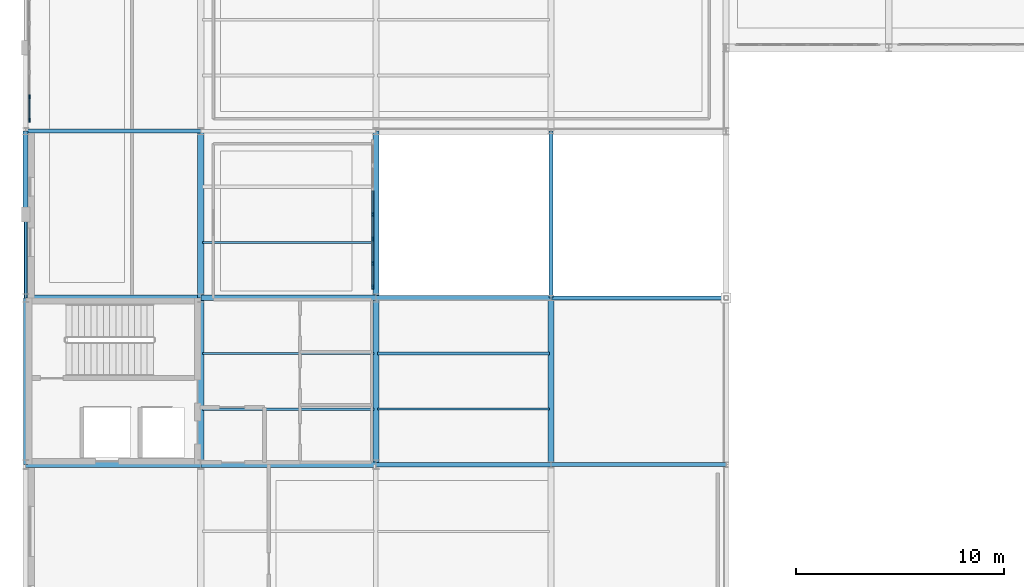
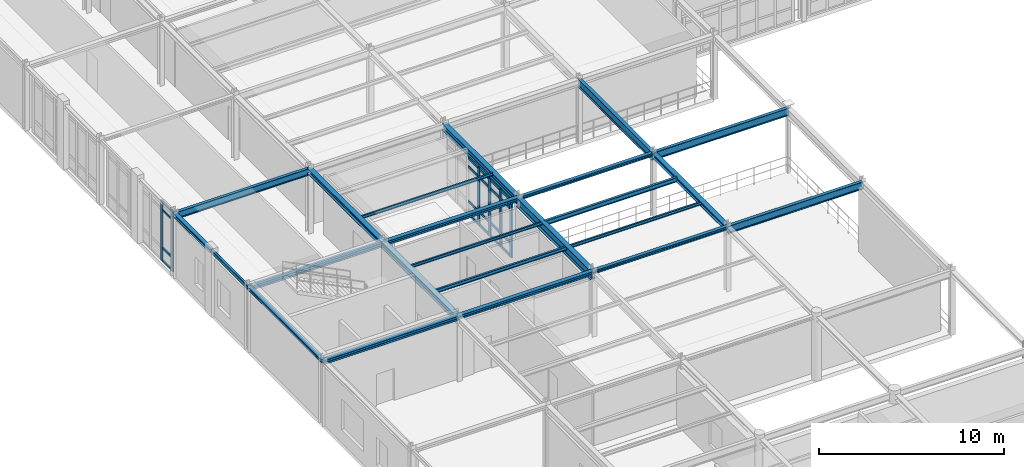
# One storey, part 28 of 106: 26 members, 23 beams, 2 elements without a shape of their own.
"""IFC4 building model written with IfcOpenShell, lengths in metres."""

from ifc_helpers import new_model, si_unit, derived_unit, direction, frame, origin, origin_2d, place, context, subcontext, project, spatial, rectangle, hollow_rectangle, i_section, extrude, material, layer, layer_set, material_profile, profile_set, type_object, element, aggregate, save


model = new_model("IFC4")

# Units and contexts
model_context = context("Model", 3, precision=1e-05, world=origin(), true_north=direction((0.0, 1.0)))
body_context = subcontext(model_context, "Body", "Model", "MODEL_VIEW")
ifc_project = project(units=[si_unit("LENGTHUNIT", "METRE"), si_unit("AREAUNIT", "SQUARE_METRE"), si_unit("VOLUMEUNIT", "CUBIC_METRE"), si_unit("PLANEANGLEUNIT", "RADIAN"), si_unit("MASSUNIT", "GRAM", prefix="KILO"), derived_unit("THERMALTRANSMITTANCEUNIT", [(si_unit("POWERUNIT", "WATT"), 1), (si_unit("AREAUNIT", "SQUARE_METRE"), -1), (si_unit("THERMODYNAMICTEMPERATUREUNIT", "KELVIN"), -1)])], contexts=[model_context])

# Site, building, storey
site_placement = place(None, origin())
site = spatial("IfcSite", under=ifc_project, at=site_placement, CompositionType="ELEMENT")
building_placement = place(site_placement, origin())
building = spatial("IfcBuilding", under=site, at=building_placement, Name="Yasenodar Specialist Clinic", CompositionType="ELEMENT")
storey_placement = place(building_placement, frame((0.0, 0.0, 4.5)))
storey = spatial("IfcBuildingStorey", under=building, at=storey_placement, Name="L01", CompositionType="ELEMENT", Elevation=4.5)

# Beams
ifc_material_1 = material(Name="Steel S355", Category="steel")
ifc_material_profile_1 = material_profile(ifc_material_1, i_section(OverallWidth=0.219970703125, OverallDepth=0.2099609375, WebThickness=0.007080078125, FlangeThickness=0.010986328125, FilletRadius=0.01806640625, at=origin_2d()), Name="HEA 220")
ifc_profile_set_1 = profile_set([ifc_material_profile_1], Name="Steel S355")
beam_type_1 = type_object("IfcBeamType", Name="BM-HEA220", PredefinedType="BEAM", material=ifc_profile_set_1)
for number, where, z_axis, x_axis, name in (
    (1, (16.800048828125, 34.800048828125, 4.14501953125), (1.0, 0.0, 0.0), (0.0, 1.0, 0.0), "L01 Primary E-W Girder"),
    (2, (16.800048828125, 42.800048828125, 4.14501953125), (1.0, 0.0, 0.0), (0.0, 1.0, 0.0), "L01 Primary E-W Girder"),
):
    element("IfcBeam", number, at=place(storey_placement, frame(where, z_axis=z_axis, x_axis=x_axis)), inside=storey, type_object=beam_type_1, Name=name, PredefinedType="BEAM", context=body_context, shape_type="SweptSolid", body=[
        extrude(i_section(OverallWidth=0.219970703125, OverallDepth=0.2099609375, WebThickness=0.007080078125, FlangeThickness=0.010986328125, FilletRadius=0.01806640625, at=origin_2d()), origin(), (0.0, 0.0, 1.0), 8.39990234375),
    ])
ifc_material_profile_2 = material_profile(ifc_material_1, i_section(OverallWidth=0.260009765625, OverallDepth=0.25, WebThickness=0.007568359375, FlangeThickness=0.012451171875, FilletRadius=0.02392578125, at=origin_2d()), Name="HEA 260")
ifc_profile_set_2 = profile_set([ifc_material_profile_2], Name="Steel S355")
beam_type_2 = type_object("IfcBeamType", Name="BM-HEA260", PredefinedType="BEAM", material=ifc_profile_set_2)
for number, where, z_axis, x_axis, name in (
    (3, (8.39990234375, 34.800048828125, 4.125), (1.0, 0.0, 0.0), (0.0, 1.0, 0.0), "L01 Primary E-W Girder"),
    (4, (8.39990234375, 42.800048828125, 4.125), (1.0, 0.0, 0.0), (0.0, 1.0, 0.0), "L01 Primary E-W Girder"),
):
    element("IfcBeam", number, at=place(storey_placement, frame(where, z_axis=z_axis, x_axis=x_axis)), inside=storey, type_object=beam_type_2, Name=name, PredefinedType="BEAM", context=body_context, shape_type="SweptSolid", body=[
        extrude(i_section(OverallWidth=0.260009765625, OverallDepth=0.25, WebThickness=0.007568359375, FlangeThickness=0.012451171875, FilletRadius=0.02392578125, at=origin_2d()), origin(), (0.0, 0.0, 1.0), 8.400146484375),
    ])
ifc_material_profile_3 = material_profile(ifc_material_1, i_section(OverallWidth=0.280029296875, OverallDepth=0.27001953125, WebThickness=0.008056640625, FlangeThickness=0.012939453125, FilletRadius=0.02392578125, at=origin_2d()), Name="HEA 280")
ifc_profile_set_3 = profile_set([ifc_material_profile_3], Name="Steel S355")
beam_type_3 = type_object("IfcBeamType", Name="BM-HEA280", PredefinedType="BEAM", material=ifc_profile_set_3)
for number, where, z_axis, x_axis, name in (
    (5, (0.0, 34.800048828125, 4.114990234375), (1.0, 0.0, 0.0), (0.0, 1.0, 0.0), "L01 Primary E-W Girder"),
    (6, (0.0, 42.800048828125, 4.114990234375), (1.0, 0.0, 0.0), (0.0, 1.0, 0.0), "L01 Primary E-W Girder"),
):
    element("IfcBeam", number, at=place(storey_placement, frame(where, z_axis=z_axis, x_axis=x_axis)), inside=storey, type_object=beam_type_3, Name=name, PredefinedType="BEAM", context=body_context, shape_type="SweptSolid", body=[
        extrude(i_section(OverallWidth=0.280029296875, OverallDepth=0.27001953125, WebThickness=0.008056640625, FlangeThickness=0.012939453125, FilletRadius=0.02392578125, at=origin_2d()), origin(), (0.0, 0.0, 1.0), 8.39990234375),
    ])
ifc_material_profile_4 = material_profile(ifc_material_1, i_section(OverallWidth=0.300048828125, OverallDepth=0.2900390625, WebThickness=0.008544921875, FlangeThickness=0.013916015625, FilletRadius=0.027099609375, at=origin_2d()), Name="HEA 300")
ifc_profile_set_4 = profile_set([ifc_material_profile_4], Name="Steel S355")
beam_type_4 = type_object("IfcBeamType", Name="BM-HEA300", PredefinedType="BEAM", material=ifc_profile_set_4)
beam_1_placement = place(storey_placement, frame((25.199951171875, 34.800048828125, 4.10498046875), z_axis=(0.0, 1.0, 0.0), x_axis=(-1.0, 0.0, 0.0)))
element("IfcBeam", 7, at=beam_1_placement, inside=storey, type_object=beam_type_4, Name="L01 Primary N-S Girder", PredefinedType="BEAM", context=body_context, shape_type="SweptSolid", body=[
    extrude(i_section(OverallWidth=0.300048828125, OverallDepth=0.2900390625, WebThickness=0.008544921875, FlangeThickness=0.013916015625, FilletRadius=0.027099609375, at=origin_2d()), origin(), (0.0, 0.0, 1.0), 8.0),
])
ifc_material_profile_5 = material_profile(ifc_material_1, i_section(OverallWidth=0.300048828125, OverallDepth=0.340087890625, WebThickness=0.011962890625, FlangeThickness=0.021484375, FilletRadius=0.027099609375, at=origin_2d()), Name="HEB 340")
ifc_profile_set_5 = profile_set([ifc_material_profile_5], Name="Steel S355")
beam_type_5 = type_object("IfcBeamType", Name="BM-HEB340", PredefinedType="BEAM", material=ifc_profile_set_5)
beam_2_placement = place(storey_placement, frame((8.39990234375, 42.800048828125, 4.080078125), z_axis=(0.0, 1.0, 0.0), x_axis=(-1.0, 0.0, 0.0)))
element("IfcBeam", 8, at=beam_2_placement, inside=storey, type_object=beam_type_5, Name="L01 Primary N-S Girder", PredefinedType="BEAM", context=body_context, shape_type="SweptSolid", body=[
    extrude(i_section(OverallWidth=0.300048828125, OverallDepth=0.340087890625, WebThickness=0.011962890625, FlangeThickness=0.021484375, FilletRadius=0.027099609375, at=origin_2d()), origin(), (0.0, 0.0, 1.0), 8.0),
])
ifc_material_profile_6 = material_profile(ifc_material_1, i_section(OverallWidth=0.300048828125, OverallDepth=0.39990234375, WebThickness=0.013427734375, FlangeThickness=0.02392578125, FilletRadius=0.027099609375, at=origin_2d()), Name="HEB 400")
ifc_profile_set_6 = profile_set([ifc_material_profile_6], Name="Steel S355")
beam_type_6 = type_object("IfcBeamType", Name="BM-HEB400", PredefinedType="BEAM", material=ifc_profile_set_6)
beam_3_placement = place(storey_placement, frame((8.39990234375, 34.800048828125, 4.050048828125), z_axis=(0.0, 1.0, 0.0), x_axis=(-1.0, 0.0, 0.0)))
element("IfcBeam", 9, at=beam_3_placement, inside=storey, type_object=beam_type_6, Name="L01 Primary N-S Girder", PredefinedType="BEAM", context=body_context, shape_type="SweptSolid", body=[
    extrude(i_section(OverallWidth=0.300048828125, OverallDepth=0.39990234375, WebThickness=0.013427734375, FlangeThickness=0.02392578125, FilletRadius=0.027099609375, at=origin_2d()), origin(), (0.0, 0.0, 1.0), 8.0),
])
ifc_material_profile_7 = material_profile(ifc_material_1, i_section(OverallWidth=0.300048828125, OverallDepth=0.449951171875, WebThickness=0.013916015625, FlangeThickness=0.02587890625, FilletRadius=0.027099609375, at=origin_2d()), Name="HEB 450")
ifc_profile_set_7 = profile_set([ifc_material_profile_7], Name="Steel S355")
beam_type_7 = type_object("IfcBeamType", Name="BM-HEB450", PredefinedType="BEAM", material=ifc_profile_set_7)
beam_4_placement = place(storey_placement, frame((16.800048828125, 42.800048828125, 4.02490234375), z_axis=(0.0, 1.0, 0.0), x_axis=(-1.0, 0.0, 0.0)))
element("IfcBeam", 10, at=beam_4_placement, inside=storey, type_object=beam_type_7, Name="L01 Primary N-S Girder", PredefinedType="BEAM", context=body_context, shape_type="SweptSolid", body=[
    extrude(i_section(OverallWidth=0.300048828125, OverallDepth=0.449951171875, WebThickness=0.013916015625, FlangeThickness=0.02587890625, FilletRadius=0.027099609375, at=origin_2d()), origin(), (0.0, 0.0, 1.0), 8.0),
])
ifc_material_profile_8 = material_profile(ifc_material_1, i_section(OverallWidth=0.300048828125, OverallDepth=0.60009765625, WebThickness=0.015380859375, FlangeThickness=0.030029296875, FilletRadius=0.027099609375, at=origin_2d()), Name="HEB 600")
ifc_profile_set_8 = profile_set([ifc_material_profile_8], Name="Steel S355")
beam_type_8 = type_object("IfcBeamType", Name="BM-HEB600", PredefinedType="BEAM", material=ifc_profile_set_8)
beam_5_placement = place(storey_placement, frame((16.800048828125, 34.800048828125, 3.949951171875), z_axis=(0.0, 1.0, 0.0), x_axis=(-1.0, 0.0, 0.0)))
element("IfcBeam", 11, at=beam_5_placement, inside=storey, type_object=beam_type_8, Name="L01 Primary N-S Girder", PredefinedType="BEAM", context=body_context, shape_type="SweptSolid", body=[
    extrude(i_section(OverallWidth=0.300048828125, OverallDepth=0.60009765625, WebThickness=0.015380859375, FlangeThickness=0.030029296875, FilletRadius=0.027099609375, at=origin_2d()), origin(), (0.0, 0.0, 1.0), 8.0),
])
ifc_material_profile_9 = material_profile(ifc_material_1, i_section(OverallWidth=0.18994140625, OverallDepth=0.449951171875, WebThickness=0.009521484375, FlangeThickness=0.0146484375, FilletRadius=0.02099609375, at=origin_2d()), Name="IPE 450")
ifc_profile_set_9 = profile_set([ifc_material_profile_9], Name="Steel S355")
beam_type_9 = type_object("IfcBeamType", Name="BM-IPE450", PredefinedType="BEAM", material=ifc_profile_set_9)
beam_6_placement = place(storey_placement, frame((0.0, 50.800048828125, 4.02490234375), z_axis=(1.0, 0.0, 0.0), x_axis=(0.0, 1.0, 0.0)))
element("IfcBeam", 12, at=beam_6_placement, inside=storey, type_object=beam_type_9, Name="L01 Primary E-W Girder", PredefinedType="BEAM", context=body_context, shape_type="SweptSolid", body=[
    extrude(i_section(OverallWidth=0.18994140625, OverallDepth=0.449951171875, WebThickness=0.009521484375, FlangeThickness=0.0146484375, FilletRadius=0.02099609375, at=origin_2d()), origin(), (0.0, 0.0, 1.0), 8.39990234375),
])
ifc_material_profile_10 = material_profile(ifc_material_1, i_section(OverallWidth=0.199951171875, OverallDepth=0.5, WebThickness=0.01025390625, FlangeThickness=0.01611328125, FilletRadius=0.02099609375, at=origin_2d()), Name="IPE 500")
ifc_profile_set_10 = profile_set([ifc_material_profile_10], Name="Steel S355")
beam_type_10 = type_object("IfcBeamType", Name="BM-IPE500", PredefinedType="BEAM", material=ifc_profile_set_10)
for number, where, z_axis, x_axis, name in (
    (13, (25.199951171875, 34.800048828125, 4.0), (1.0, 0.0, 0.0), (0.0, 1.0, 0.0), "L01 Primary E-W Girder"),
    (14, (25.199951171875, 42.800048828125, 4.0), (1.0, 0.0, 0.0), (0.0, 1.0, 0.0), "L01 Primary E-W Girder"),
):
    element("IfcBeam", number, at=place(storey_placement, frame(where, z_axis=z_axis, x_axis=x_axis)), inside=storey, type_object=beam_type_10, Name=name, PredefinedType="BEAM", context=body_context, shape_type="SweptSolid", body=[
        extrude(i_section(OverallWidth=0.199951171875, OverallDepth=0.5, WebThickness=0.01025390625, FlangeThickness=0.01611328125, FilletRadius=0.02099609375, at=origin_2d()), origin(), (0.0, 0.0, 1.0), 8.400146484375),
    ])
ifc_material_profile_11 = material_profile(ifc_material_1, i_section(OverallWidth=0.2099609375, OverallDepth=0.550048828125, WebThickness=0.010986328125, FlangeThickness=0.01708984375, FilletRadius=0.02392578125, at=origin_2d()), Name="IPE 550")
ifc_profile_set_11 = profile_set([ifc_material_profile_11], Name="Steel S355")
beam_type_11 = type_object("IfcBeamType", Name="BM-IPE550", PredefinedType="BEAM", material=ifc_profile_set_11)
beam_7_placement = place(storey_placement, frame((25.199951171875, 42.800048828125, 3.97509765625), z_axis=(0.0, 1.0, 0.0), x_axis=(-1.0, 0.0, 0.0)))
element("IfcBeam", 15, at=beam_7_placement, inside=storey, type_object=beam_type_11, Name="L01 Primary N-S Girder", PredefinedType="BEAM", context=body_context, shape_type="SweptSolid", body=[
    extrude(i_section(OverallWidth=0.2099609375, OverallDepth=0.550048828125, WebThickness=0.010986328125, FlangeThickness=0.01708984375, FilletRadius=0.02392578125, at=origin_2d()), origin(), (0.0, 0.0, 1.0), 8.0),
])

# Curtain wall, members
ifc_material_2 = material(Name="Bronze Anodized Aluminium and Triple Low-E Glass", Category="aluminium")
ifc_layer_1 = layer(ifc_material_2, 0.22705078125)
ifc_layer_set_1 = layer_set([ifc_layer_1], Name="Bronze Anodized Aluminium and Triple Low-E Glass")
curtain_wall_type_1 = type_object("IfcCurtainWallType", Name="CW-SYS-06", PredefinedType="USERDEFINED", material=ifc_layer_set_1)
curtain_wall_1_placement = place(storey_placement, origin())
curtain_wall_1 = element("IfcCurtainWall", 16, at=curtain_wall_1_placement, inside=storey, type_object=curtain_wall_type_1, Name="L01 Unitised Curtain Wall 119", ObjectType="UNITISED CURTAIN WALL", PredefinedType="USERDEFINED")
ifc_material_3 = material(Name="Bronze Anodized Aluminium", Category="aluminium")
ifc_material_profile_12 = material_profile(ifc_material_3, rectangle(XDim=0.070068359375, YDim=0.199951171875, at=origin_2d()), Name="CW-MULL 70x200")
ifc_profile_set_12 = profile_set([ifc_material_profile_12], Name="Bronze Anodized Aluminium")
member_type_1 = type_object("IfcMemberType", Name="CW-MULL-200", PredefinedType="MULLION", material=ifc_profile_set_12)
member_1_placement = place(storey_placement, frame((0.179931640625, 51.31494140625, 0.0), z_axis=(0.0, 0.0, 1.0), x_axis=(-1.0, 0.0, 0.0)))
member_1 = element("IfcMember", 17, at=member_1_placement, type_object=member_type_1, Name="CW-06 mullion 1", PredefinedType="MULLION", context=body_context, shape_type="SweptSolid", body=[
    extrude(rectangle(XDim=0.070068359375, YDim=0.199951171875, at=origin_2d()), origin(), (0.0, 0.0, 1.0), 3.97802734375),
])
member_2_placement = place(storey_placement, frame((0.179931640625, 52.453369140625, 0.0), z_axis=(0.0, 0.0, 1.0), x_axis=(-1.0, 0.0, 0.0)))
member_2 = element("IfcMember", 18, at=member_2_placement, type_object=member_type_1, Name="CW-06 mullion 2", PredefinedType="MULLION", context=body_context, shape_type="SweptSolid", body=[
    extrude(rectangle(XDim=0.070068359375, YDim=0.199951171875, at=origin_2d()), origin(), (0.0, 0.0, 1.0), 3.97802734375),
])

ifc_layer_2 = layer(ifc_material_2, 0.202880859375)
ifc_layer_set_2 = layer_set([ifc_layer_2], Name="Bronze Anodized Aluminium and Triple Low-E Glass")
curtain_wall_type_2 = type_object("IfcCurtainWallType", Name="CW-SYS-04", PredefinedType="USERDEFINED", material=ifc_layer_set_2)
curtain_wall_2_placement = place(storey_placement, origin())
curtain_wall_2 = element("IfcCurtainWall", 19, at=curtain_wall_2_placement, inside=storey, type_object=curtain_wall_type_2, Name="L01 Unitised Curtain Wall 125", ObjectType="UNITISED CURTAIN WALL", PredefinedType="USERDEFINED")
ifc_material_profile_13 = material_profile(ifc_material_3, rectangle(XDim=0.074951171875, YDim=0.22509765625, at=origin_2d()), Name="CW-MULL 75x225")
ifc_profile_set_13 = profile_set([ifc_material_profile_13], Name="Bronze Anodized Aluminium")
member_type_2 = type_object("IfcMemberType", Name="CW-MULL-225", PredefinedType="MULLION", material=ifc_profile_set_13)
member_3_placement = place(storey_placement, frame((16.64990234375, 46.800048828125, 0.0), z_axis=(0.0, 0.0, 1.0), x_axis=(1.0, 0.0, 0.0)))
member_3 = element("IfcMember", 20, at=member_3_placement, type_object=member_type_2, Name="CW-04 mullion 4", PredefinedType="MULLION", context=body_context, shape_type="SweptSolid", body=[
    extrude(rectangle(XDim=0.074951171875, YDim=0.22509765625, at=origin_2d()), origin(), (0.0, 0.0, 1.0), 3.778076171875),
])
member_4_placement = place(storey_placement, frame((16.64990234375, 45.626708984375, 0.0), z_axis=(0.0, 0.0, 1.0), x_axis=(1.0, 0.0, 0.0)))
member_4 = element("IfcMember", 21, at=member_4_placement, type_object=member_type_2, Name="CW-04 mullion 5", PredefinedType="MULLION", context=body_context, shape_type="SweptSolid", body=[
    extrude(rectangle(XDim=0.074951171875, YDim=0.22509765625, at=origin_2d()), origin(), (0.0, 0.0, 1.0), 3.778076171875),
])
member_5_placement = place(storey_placement, frame((16.64990234375, 44.453369140625, 0.0), z_axis=(0.0, 0.0, 1.0), x_axis=(1.0, 0.0, 0.0)))
member_5 = element("IfcMember", 22, at=member_5_placement, type_object=member_type_2, Name="CW-04 mullion 6", PredefinedType="MULLION", context=body_context, shape_type="SweptSolid", body=[
    extrude(rectangle(XDim=0.074951171875, YDim=0.22509765625, at=origin_2d()), origin(), (0.0, 0.0, 1.0), 3.778076171875),
])
member_6_placement = place(storey_placement, frame((16.64990234375, 43.3173828125, 0.0), z_axis=(0.0, 0.0, 1.0), x_axis=(1.0, 0.0, 0.0)))
member_6 = element("IfcMember", 23, at=member_6_placement, type_object=member_type_2, Name="CW-04 mullion 7", PredefinedType="MULLION", context=body_context, shape_type="SweptSolid", body=[
    extrude(rectangle(XDim=0.074951171875, YDim=0.22509765625, at=origin_2d()), origin(), (0.0, 0.0, 1.0), 3.778076171875),
])

# Member
ifc_material_profile_14 = material_profile(ifc_material_3, rectangle(XDim=0.070068359375, YDim=0.14990234375, at=origin_2d()), Name="CW-TRAN 70x150")
ifc_profile_set_14 = profile_set([ifc_material_profile_14], Name="Bronze Anodized Aluminium")
member_type_3 = type_object("IfcMemberType", Name="CW-TRAN-150", PredefinedType="USERDEFINED", material=ifc_profile_set_14)
member_7_placement = place(storey_placement, frame((0.179931640625, 51.35009765625, 0.034912109375), z_axis=(0.0, 1.0, 0.0), x_axis=(-1.0, 0.0, 0.0)))
member_7 = element("IfcMember", 24, at=member_7_placement, type_object=member_type_3, Name="CW-06 transom 1.1", ObjectType="TRANSOM", PredefinedType="USERDEFINED", context=body_context, shape_type="SweptSolid", body=[
    extrude(rectangle(XDim=0.070068359375, YDim=0.14990234375, at=origin_2d()), origin(), (0.0, 0.0, 1.0), 1.068115234375),
])

member_8_placement = place(storey_placement, frame((0.179931640625, 51.35009765625, 0.89990234375), z_axis=(0.0, 1.0, 0.0), x_axis=(-1.0, 0.0, 0.0)))
member_8 = element("IfcMember", 25, at=member_8_placement, type_object=member_type_3, Name="CW-06 transom 1.2", ObjectType="TRANSOM", PredefinedType="USERDEFINED", context=body_context, shape_type="SweptSolid", body=[
    extrude(rectangle(XDim=0.070068359375, YDim=0.14990234375, at=origin_2d()), origin(), (0.0, 0.0, 1.0), 1.068115234375),
])

member_9_placement = place(storey_placement, frame((0.179931640625, 51.35009765625, 3.3779296875), z_axis=(0.0, 1.0, 0.0), x_axis=(-1.0, 0.0, 0.0)))
member_9 = element("IfcMember", 26, at=member_9_placement, type_object=member_type_3, Name="CW-06 transom 1.3", ObjectType="TRANSOM", PredefinedType="USERDEFINED", context=body_context, shape_type="SweptSolid", body=[
    extrude(rectangle(XDim=0.070068359375, YDim=0.14990234375, at=origin_2d()), origin(), (0.0, 0.0, 1.0), 1.068115234375),
])

member_10_placement = place(storey_placement, frame((0.179931640625, 51.35009765625, 3.943115234375), z_axis=(0.0, 1.0, 0.0), x_axis=(-1.0, 0.0, 0.0)))
member_10 = element("IfcMember", 27, at=member_10_placement, type_object=member_type_3, Name="CW-06 transom 1.4", ObjectType="TRANSOM", PredefinedType="USERDEFINED", context=body_context, shape_type="SweptSolid", body=[
    extrude(rectangle(XDim=0.070068359375, YDim=0.14990234375, at=origin_2d()), origin(), (0.0, 0.0, 1.0), 1.068115234375),
])

aggregate(curtain_wall_1, [member_1, member_2, member_7, member_8, member_9, member_10])

ifc_material_profile_15 = material_profile(ifc_material_3, rectangle(XDim=0.074951171875, YDim=0.175048828125, at=origin_2d()), Name="CW-TRAN 75x175")
ifc_profile_set_15 = profile_set([ifc_material_profile_15], Name="Bronze Anodized Aluminium")
member_type_4 = type_object("IfcMemberType", Name="CW-TRAN-175", PredefinedType="USERDEFINED", material=ifc_profile_set_15)
member_11_placement = place(storey_placement, frame((16.64990234375, 47.935791015625, 0.03759765625), z_axis=(0.0, -1.0, 0.0), x_axis=(1.0, 0.0, 0.0)))
member_11 = element("IfcMember", 28, at=member_11_placement, type_object=member_type_4, Name="CW-04 transom 3.1", ObjectType="TRANSOM", PredefinedType="USERDEFINED", context=body_context, shape_type="SweptSolid", body=[
    extrude(rectangle(XDim=0.074951171875, YDim=0.175048828125, at=origin_2d()), origin(), (0.0, 0.0, 1.0), 1.098388671875),
])

member_12_placement = place(storey_placement, frame((16.64990234375, 47.935791015625, 0.89990234375), z_axis=(0.0, -1.0, 0.0), x_axis=(1.0, 0.0, 0.0)))
member_12 = element("IfcMember", 29, at=member_12_placement, type_object=member_type_4, Name="CW-04 transom 3.2", ObjectType="TRANSOM", PredefinedType="USERDEFINED", context=body_context, shape_type="SweptSolid", body=[
    extrude(rectangle(XDim=0.074951171875, YDim=0.175048828125, at=origin_2d()), origin(), (0.0, 0.0, 1.0), 1.098388671875),
])

member_13_placement = place(storey_placement, frame((16.64990234375, 47.935791015625, 3.177978515625), z_axis=(0.0, -1.0, 0.0), x_axis=(1.0, 0.0, 0.0)))
member_13 = element("IfcMember", 30, at=member_13_placement, type_object=member_type_4, Name="CW-04 transom 3.3", ObjectType="TRANSOM", PredefinedType="USERDEFINED", context=body_context, shape_type="SweptSolid", body=[
    extrude(rectangle(XDim=0.074951171875, YDim=0.175048828125, at=origin_2d()), origin(), (0.0, 0.0, 1.0), 1.098388671875),
])

member_14_placement = place(storey_placement, frame((16.64990234375, 47.935791015625, 3.740478515625), z_axis=(0.0, -1.0, 0.0), x_axis=(1.0, 0.0, 0.0)))
member_14 = element("IfcMember", 31, at=member_14_placement, type_object=member_type_4, Name="CW-04 transom 3.4", ObjectType="TRANSOM", PredefinedType="USERDEFINED", context=body_context, shape_type="SweptSolid", body=[
    extrude(rectangle(XDim=0.074951171875, YDim=0.175048828125, at=origin_2d()), origin(), (0.0, 0.0, 1.0), 1.098388671875),
])

member_15_placement = place(storey_placement, frame((16.64990234375, 46.762451171875, 0.03759765625), z_axis=(0.0, -1.0, 0.0), x_axis=(1.0, 0.0, 0.0)))
member_15 = element("IfcMember", 32, at=member_15_placement, type_object=member_type_4, Name="CW-04 transom 4.1", ObjectType="TRANSOM", PredefinedType="USERDEFINED", context=body_context, shape_type="SweptSolid", body=[
    extrude(rectangle(XDim=0.074951171875, YDim=0.175048828125, at=origin_2d()), origin(), (0.0, 0.0, 1.0), 1.098388671875),
])

member_16_placement = place(storey_placement, frame((16.64990234375, 46.762451171875, 0.89990234375), z_axis=(0.0, -1.0, 0.0), x_axis=(1.0, 0.0, 0.0)))
member_16 = element("IfcMember", 33, at=member_16_placement, type_object=member_type_4, Name="CW-04 transom 4.2", ObjectType="TRANSOM", PredefinedType="USERDEFINED", context=body_context, shape_type="SweptSolid", body=[
    extrude(rectangle(XDim=0.074951171875, YDim=0.175048828125, at=origin_2d()), origin(), (0.0, 0.0, 1.0), 1.098388671875),
])

member_17_placement = place(storey_placement, frame((16.64990234375, 46.762451171875, 3.177978515625), z_axis=(0.0, -1.0, 0.0), x_axis=(1.0, 0.0, 0.0)))
member_17 = element("IfcMember", 34, at=member_17_placement, type_object=member_type_4, Name="CW-04 transom 4.3", ObjectType="TRANSOM", PredefinedType="USERDEFINED", context=body_context, shape_type="SweptSolid", body=[
    extrude(rectangle(XDim=0.074951171875, YDim=0.175048828125, at=origin_2d()), origin(), (0.0, 0.0, 1.0), 1.098388671875),
])

member_18_placement = place(storey_placement, frame((16.64990234375, 46.762451171875, 3.740478515625), z_axis=(0.0, -1.0, 0.0), x_axis=(1.0, 0.0, 0.0)))
member_18 = element("IfcMember", 35, at=member_18_placement, type_object=member_type_4, Name="CW-04 transom 4.4", ObjectType="TRANSOM", PredefinedType="USERDEFINED", context=body_context, shape_type="SweptSolid", body=[
    extrude(rectangle(XDim=0.074951171875, YDim=0.175048828125, at=origin_2d()), origin(), (0.0, 0.0, 1.0), 1.098388671875),
])

member_19_placement = place(storey_placement, frame((16.64990234375, 45.589111328125, 0.03759765625), z_axis=(0.0, -1.0, 0.0), x_axis=(1.0, 0.0, 0.0)))
member_19 = element("IfcMember", 36, at=member_19_placement, type_object=member_type_4, Name="CW-04 transom 5.1", ObjectType="TRANSOM", PredefinedType="USERDEFINED", context=body_context, shape_type="SweptSolid", body=[
    extrude(rectangle(XDim=0.074951171875, YDim=0.175048828125, at=origin_2d()), origin(), (0.0, 0.0, 1.0), 1.098388671875),
])

member_20_placement = place(storey_placement, frame((16.64990234375, 45.589111328125, 0.89990234375), z_axis=(0.0, -1.0, 0.0), x_axis=(1.0, 0.0, 0.0)))
member_20 = element("IfcMember", 37, at=member_20_placement, type_object=member_type_4, Name="CW-04 transom 5.2", ObjectType="TRANSOM", PredefinedType="USERDEFINED", context=body_context, shape_type="SweptSolid", body=[
    extrude(rectangle(XDim=0.074951171875, YDim=0.175048828125, at=origin_2d()), origin(), (0.0, 0.0, 1.0), 1.098388671875),
])

member_21_placement = place(storey_placement, frame((16.64990234375, 45.589111328125, 3.177978515625), z_axis=(0.0, -1.0, 0.0), x_axis=(1.0, 0.0, 0.0)))
member_21 = element("IfcMember", 38, at=member_21_placement, type_object=member_type_4, Name="CW-04 transom 5.3", ObjectType="TRANSOM", PredefinedType="USERDEFINED", context=body_context, shape_type="SweptSolid", body=[
    extrude(rectangle(XDim=0.074951171875, YDim=0.175048828125, at=origin_2d()), origin(), (0.0, 0.0, 1.0), 1.098388671875),
])

member_22_placement = place(storey_placement, frame((16.64990234375, 45.589111328125, 3.740478515625), z_axis=(0.0, -1.0, 0.0), x_axis=(1.0, 0.0, 0.0)))
member_22 = element("IfcMember", 39, at=member_22_placement, type_object=member_type_4, Name="CW-04 transom 5.4", ObjectType="TRANSOM", PredefinedType="USERDEFINED", context=body_context, shape_type="SweptSolid", body=[
    extrude(rectangle(XDim=0.074951171875, YDim=0.175048828125, at=origin_2d()), origin(), (0.0, 0.0, 1.0), 1.098388671875),
])

member_23_placement = place(storey_placement, frame((16.64990234375, 44.415771484375, 0.03759765625), z_axis=(0.0, -1.0, 0.0), x_axis=(1.0, 0.0, 0.0)))
member_23 = element("IfcMember", 40, at=member_23_placement, type_object=member_type_4, Name="CW-04 transom 6.1", ObjectType="TRANSOM", PredefinedType="USERDEFINED", context=body_context, shape_type="SweptSolid", body=[
    extrude(rectangle(XDim=0.074951171875, YDim=0.175048828125, at=origin_2d()), origin(), (0.0, 0.0, 1.0), 1.060791015625),
])

member_24_placement = place(storey_placement, frame((16.64990234375, 44.415771484375, 0.89990234375), z_axis=(0.0, -1.0, 0.0), x_axis=(1.0, 0.0, 0.0)))
member_24 = element("IfcMember", 41, at=member_24_placement, type_object=member_type_4, Name="CW-04 transom 6.2", ObjectType="TRANSOM", PredefinedType="USERDEFINED", context=body_context, shape_type="SweptSolid", body=[
    extrude(rectangle(XDim=0.074951171875, YDim=0.175048828125, at=origin_2d()), origin(), (0.0, 0.0, 1.0), 1.060791015625),
])

member_25_placement = place(storey_placement, frame((16.64990234375, 44.415771484375, 3.177978515625), z_axis=(0.0, -1.0, 0.0), x_axis=(1.0, 0.0, 0.0)))
member_25 = element("IfcMember", 42, at=member_25_placement, type_object=member_type_4, Name="CW-04 transom 6.3", ObjectType="TRANSOM", PredefinedType="USERDEFINED", context=body_context, shape_type="SweptSolid", body=[
    extrude(rectangle(XDim=0.074951171875, YDim=0.175048828125, at=origin_2d()), origin(), (0.0, 0.0, 1.0), 1.060791015625),
])

member_26_placement = place(storey_placement, frame((16.64990234375, 44.415771484375, 3.740478515625), z_axis=(0.0, -1.0, 0.0), x_axis=(1.0, 0.0, 0.0)))
member_26 = element("IfcMember", 43, at=member_26_placement, type_object=member_type_4, Name="CW-04 transom 6.4", ObjectType="TRANSOM", PredefinedType="USERDEFINED", context=body_context, shape_type="SweptSolid", body=[
    extrude(rectangle(XDim=0.074951171875, YDim=0.175048828125, at=origin_2d()), origin(), (0.0, 0.0, 1.0), 1.060791015625),
])

aggregate(curtain_wall_2, [member_3, member_4, member_5, member_6, member_11, member_12, member_13, member_14, member_15, member_16, member_17, member_18, member_19, member_20, member_21, member_22, member_23, member_24, member_25, member_26])

# Beams
ifc_material_profile_16 = material_profile(ifc_material_1, i_section(OverallWidth=0.10009765625, OverallDepth=0.199951171875, WebThickness=0.005615234375, FlangeThickness=0.008544921875, FilletRadius=0.011962890625, at=origin_2d()), Name="IPE 200")
ifc_profile_set_16 = profile_set([ifc_material_profile_16], Name="Steel S355")
beam_type_12 = type_object("IfcBeamType", Name="JS-IPE200", PredefinedType="JOIST", material=ifc_profile_set_16)
for number, where, z_axis, x_axis, name in (
    (44, (8.47998046875, 40.13330078125, 4.14990234375), (1.0, 0.0, 0.0), (0.0, 1.0, 0.0), "L01 Composite Floor Joist"),
    (45, (8.47998046875, 45.466796875, 4.14990234375), (1.0, 0.0, 0.0), (0.0, 1.0, 0.0), "L01 Composite Floor Joist"),
):
    element("IfcBeam", number, at=place(storey_placement, frame(where, z_axis=z_axis, x_axis=x_axis)), inside=storey, type_object=beam_type_12, Name=name, PredefinedType="JOIST", context=body_context, shape_type="SweptSolid", body=[
        extrude(i_section(OverallWidth=0.10009765625, OverallDepth=0.199951171875, WebThickness=0.005615234375, FlangeThickness=0.008544921875, FilletRadius=0.011962890625, at=origin_2d()), origin(), (0.0, 0.0, 1.0), 8.239990234375),
    ])
beam_8_placement = place(storey_placement, frame((16.8798828125, 37.466796875, 4.14990234375), z_axis=(1.0, 0.0, 0.0), x_axis=(0.0, 1.0, 0.0)))
element("IfcBeam", 46, at=beam_8_placement, inside=storey, type_object=beam_type_12, Name="L01 Composite Floor Joist", PredefinedType="JOIST", context=body_context, shape_type="SweptSolid", body=[
    extrude(i_section(OverallWidth=0.10009765625, OverallDepth=0.199951171875, WebThickness=0.005615234375, FlangeThickness=0.008544921875, FilletRadius=0.011962890625, at=origin_2d()), origin(), (0.0, 0.0, 1.0), 8.240234375),
])
ifc_material_profile_17 = material_profile(ifc_material_1, i_section(OverallWidth=0.1201171875, OverallDepth=0.239990234375, WebThickness=0.006103515625, FlangeThickness=0.009765625, FilletRadius=0.014892578125, at=origin_2d()), Name="IPE 240")
ifc_profile_set_17 = profile_set([ifc_material_profile_17], Name="Steel S355")
beam_type_13 = type_object("IfcBeamType", Name="JS-IPE240", PredefinedType="JOIST", material=ifc_profile_set_17)
beam_9_placement = place(storey_placement, frame((8.47998046875, 37.466796875, 4.1298828125), z_axis=(1.0, 0.0, 0.0), x_axis=(0.0, 1.0, 0.0)))
element("IfcBeam", 47, at=beam_9_placement, inside=storey, type_object=beam_type_13, Name="L01 Composite Floor Joist", PredefinedType="JOIST", context=body_context, shape_type="SweptSolid", body=[
    extrude(i_section(OverallWidth=0.1201171875, OverallDepth=0.239990234375, WebThickness=0.006103515625, FlangeThickness=0.009765625, FilletRadius=0.014892578125, at=origin_2d()), origin(), (0.0, 0.0, 1.0), 8.239990234375),
])
ifc_material_profile_18 = material_profile(ifc_material_1, i_section(OverallWidth=0.14990234375, OverallDepth=0.300048828125, WebThickness=0.007080078125, FlangeThickness=0.0107421875, FilletRadius=0.014892578125, at=origin_2d()), Name="IPE 300")
ifc_profile_set_18 = profile_set([ifc_material_profile_18], Name="Steel S355")
beam_type_14 = type_object("IfcBeamType", Name="JS-IPE300", PredefinedType="JOIST", material=ifc_profile_set_18)
beam_10_placement = place(storey_placement, frame((16.8798828125, 40.13330078125, 4.10009765625), z_axis=(1.0, 0.0, 0.0), x_axis=(0.0, 1.0, 0.0)))
element("IfcBeam", 48, at=beam_10_placement, inside=storey, type_object=beam_type_14, Name="L01 Composite Floor Joist", PredefinedType="JOIST", context=body_context, shape_type="SweptSolid", body=[
    extrude(i_section(OverallWidth=0.14990234375, OverallDepth=0.300048828125, WebThickness=0.007080078125, FlangeThickness=0.0107421875, FilletRadius=0.014892578125, at=origin_2d()), origin(), (0.0, 0.0, 1.0), 8.240234375),
])
ifc_material_profile_19 = material_profile(ifc_material_1, i_section(OverallWidth=0.199951171875, OverallDepth=0.18994140625, WebThickness=0.006591796875, FlangeThickness=0.010009765625, FilletRadius=0.01806640625, at=origin_2d()), Name="HEA 200")
ifc_profile_set_19 = profile_set([ifc_material_profile_19], Name="Steel S355")
beam_type_15 = type_object("IfcBeamType", Name="SP-HEA200", PredefinedType="SPANDREL", material=ifc_profile_set_19)
beam_11_placement = place(storey_placement, frame((0.0, 34.800048828125, 4.155029296875), z_axis=(0.0, 1.0, 0.0), x_axis=(-1.0, 0.0, 0.0)))
element("IfcBeam", 49, at=beam_11_placement, inside=storey, type_object=beam_type_15, Name="L01 Perimeter Spandrel Beam", PredefinedType="SPANDREL", context=body_context, shape_type="SweptSolid", body=[
    extrude(i_section(OverallWidth=0.199951171875, OverallDepth=0.18994140625, WebThickness=0.006591796875, FlangeThickness=0.010009765625, FilletRadius=0.01806640625, at=origin_2d()), origin(), (0.0, 0.0, 1.0), 8.0),
])
ifc_material_profile_20 = material_profile(ifc_material_1, i_section(OverallWidth=0.239990234375, OverallDepth=0.22998046875, WebThickness=0.007568359375, FlangeThickness=0.011962890625, FilletRadius=0.02099609375, at=origin_2d()), Name="HEA 240")
ifc_profile_set_20 = profile_set([ifc_material_profile_20], Name="Steel S355")
beam_type_16 = type_object("IfcBeamType", Name="SP-HEA240", PredefinedType="SPANDREL", material=ifc_profile_set_20)
beam_12_placement = place(storey_placement, frame((0.0, 46.800048828125, 4.135009765625), z_axis=(0.0, 1.0, 0.0), x_axis=(-1.0, 0.0, 0.0)))
element("IfcBeam", 50, at=beam_12_placement, inside=storey, type_object=beam_type_16, Name="L01 Perimeter Spandrel Beam", PredefinedType="SPANDREL", context=body_context, shape_type="SweptSolid", body=[
    extrude(i_section(OverallWidth=0.239990234375, OverallDepth=0.22998046875, WebThickness=0.007568359375, FlangeThickness=0.011962890625, FilletRadius=0.02099609375, at=origin_2d()), origin(), (0.0, 0.0, 1.0), 4.0),
])
ifc_material_profile_21 = material_profile(ifc_material_1, hollow_rectangle(XDim=0.14990234375, YDim=0.25, WallThickness=0.010009765625, InnerFilletRadius=0.014892578125, OuterFilletRadius=0.02490234375, at=origin_2d()), Name="RHS 250x150x10")
ifc_profile_set_21 = profile_set([ifc_material_profile_21], Name="Steel S355")
beam_type_17 = type_object("IfcBeamType", Name="SP-RHS250", PredefinedType="SPANDREL", material=ifc_profile_set_21)
beam_13_placement = place(storey_placement, frame((0.0, 42.800048828125, 4.125), z_axis=(0.0, 1.0, 0.0), x_axis=(-1.0, 0.0, 0.0)))
element("IfcBeam", 51, at=beam_13_placement, inside=storey, type_object=beam_type_17, Name="L01 Perimeter Spandrel Beam", PredefinedType="SPANDREL", context=body_context, shape_type="SweptSolid", body=[
    extrude(hollow_rectangle(XDim=0.14990234375, YDim=0.25, WallThickness=0.010009765625, InnerFilletRadius=0.014892578125, OuterFilletRadius=0.02490234375, at=origin_2d()), origin(), (0.0, 0.0, 1.0), 4.0),
])

save(model, "model.ifc")
